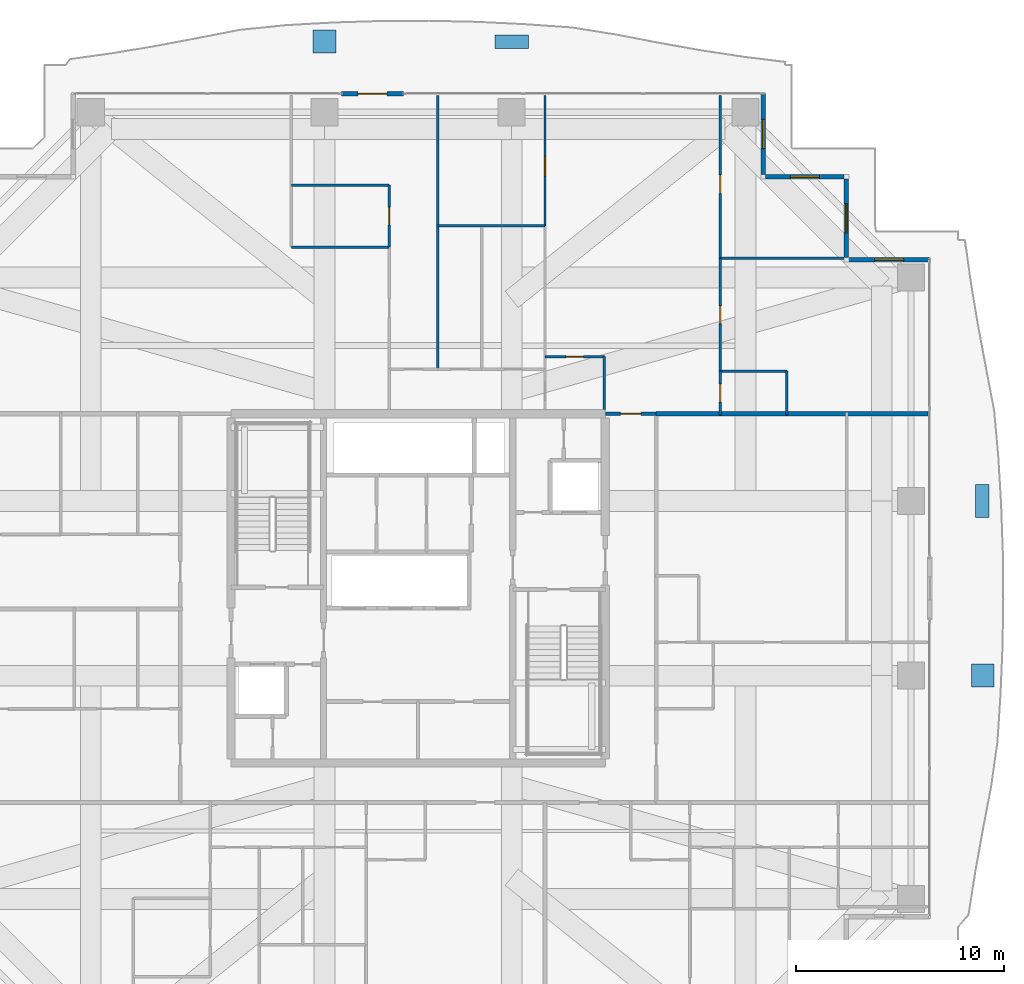
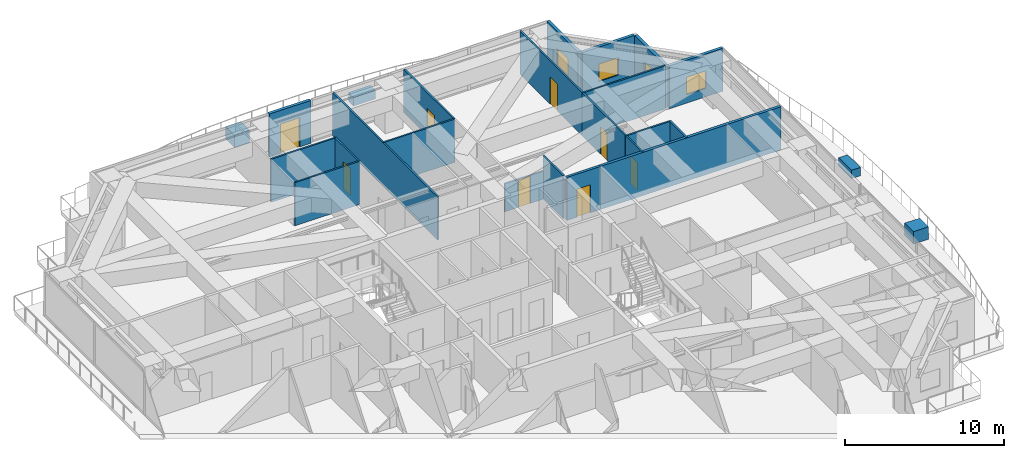
# One storey, part 27 of 32: 21 walls, 8 doors, 4 discrete accessories, 4 windows, 12 openings.
"""IFC4 building model written with IfcOpenShell, lengths in metres."""

from ifc_helpers import new_model, si_unit, direction, frame, frame_2d, origin, origin_2d, place, context, subcontext, project, spatial, rectangle, extrude, source, transform, mapped, material, layer, layer_set, type_object, element, fill, save


model = new_model("IFC4")

# Units and contexts
model_context = context("Model", 3, precision=1e-05, world=origin(), true_north=direction((0.0, 1.0)))
body_context = subcontext(model_context, "Body", "Model", "MODEL_VIEW")
ifc_project = project(units=[si_unit("LENGTHUNIT", "METRE"), si_unit("AREAUNIT", "SQUARE_METRE"), si_unit("VOLUMEUNIT", "CUBIC_METRE"), si_unit("PLANEANGLEUNIT", "RADIAN"), si_unit("MASSUNIT", "GRAM", prefix="KILO")], contexts=[model_context])

# Site, building, storey
site_placement = place(None, origin())
site = spatial("IfcSite", under=ifc_project, at=site_placement, CompositionType="ELEMENT")
building_placement = place(site_placement, origin())
building = spatial("IfcBuilding", under=site, at=building_placement, Name="Serunith Strait Residences", CompositionType="ELEMENT")
storey_placement = place(building_placement, frame((0.0, 0.0, 195.14990234375)))
storey = spatial("IfcBuildingStorey", under=building, at=storey_placement, Name="L49", CompositionType="ELEMENT", Elevation=195.14990234375)

# Wall, opening, window
ifc_material_1 = material(Name="Pale-Champagne Aluminium Insulated Panel", Category="aluminium")
ifc_layer_1 = layer(ifc_material_1, 0.219970703125, Name="Pale-Champagne Aluminium Insulated Panel")
ifc_layer_set_1 = layer_set([ifc_layer_1], Name="Pale-Champagne Aluminium Insulated Panel")
wall_type_1 = type_object("IfcWallType", Name="EW-ALUM-220", PredefinedType="ELEMENTEDWALL", material=ifc_layer_set_1)
wall_1_placement = place(storey_placement, frame((57.0, 41.0, 0.0), z_axis=(0.0, 0.0, 1.0), x_axis=(-1.0, 0.0, 0.0)))
wall_1 = element("IfcWall", 1, at=wall_1_placement, inside=storey, type_object=wall_type_1, Name="L49 Girih Serrated Corner Wall 07", PredefinedType="ELEMENTEDWALL", context=body_context, shape_type="SweptSolid", body=[
    extrude(rectangle(XDim=3.889892578125, YDim=0.219970703125, at=frame_2d((1.94482421875, 0.0))), origin(), (0.0, 0.0, 1.0), 3.295166015625),
])
opening_1_placement = place(wall_1_placement, frame((1.2451171875, 0.0, 0.64990234375)))
opening_1 = element("IfcOpeningElement", 2, at=opening_1_placement, cuts=wall_1, Name="Opening W-09", PredefinedType="OPENING", context=body_context, shape_type="SweptSolid", body=[
    extrude(rectangle(XDim=1.39990234375, YDim=1.35009765625, at=frame_2d((0.699951171875, 0.675048828125))), frame((0.0, 0.1201171875, 0.0), z_axis=(0.0, -1.0, 0.0), x_axis=(1.0, 0.0, 0.0)), (0.0, 0.0, 1.0), 0.239990234375),
])
ifc_material_2 = material(Name="Setback Spandrel Ceramic-Fritted Operable Window Glass", Category="glass")
window_type = type_object("IfcWindowType", Name="WIN-C7", PartitioningType="DOUBLE_PANEL_VERTICAL", PredefinedType="WINDOW", material=ifc_material_2)
shared_shape_1 = source(origin(), body_context, "Body", "SweptSolid", [
    extrude(rectangle(XDim=1.39990234375, YDim=1.35009765625, at=frame_2d((0.699951171875, 0.675048828125))), frame((0.0, 0.030029296875, 0.0), z_axis=(0.0, -1.0, 0.0), x_axis=(1.0, 0.0, 0.0)), (0.0, 0.0, 1.0), 0.06005859375),
])
window_1_placement = place(opening_1_placement, origin())
window_1 = element("IfcWindow", 3, at=window_1_placement, inside=storey, type_object=window_type, Name="L49 Corner Operable Fritted Window 07", OverallHeight=1.35009765625, OverallWidth=1.39990234375, PartitioningType="SINGLE_PANEL", PredefinedType="WINDOW", context=body_context, shape_type="MappedRepresentation", body=[
    mapped(shared_shape_1, transform((0.0, 0.0, 0.0), scale=1.0)),
])
fill(opening_1, window_1)

wall_2_placement = place(storey_placement, frame((53.0, 41.110107421875, 0.0), z_axis=(0.0, 0.0, 1.0), x_axis=(0.0, 1.0, 0.0)))
wall_2 = element("IfcWall", 4, at=wall_2_placement, inside=storey, type_object=wall_type_1, Name="L49 Girih Serrated Corner Wall 08", PredefinedType="ELEMENTEDWALL", context=body_context, shape_type="SweptSolid", body=[
    extrude(rectangle(XDim=3.77978515625, YDim=0.219970703125, at=frame_2d((1.889892578125, 0.0))), origin(), (0.0, 0.0, 1.0), 3.295166015625),
])
opening_2_placement = place(wall_2_placement, frame((1.18994140625, 0.0, 0.64990234375)))
opening_2 = element("IfcOpeningElement", 5, at=opening_2_placement, cuts=wall_2, Name="Opening W-09", PredefinedType="OPENING", context=body_context, shape_type="SweptSolid", body=[
    extrude(rectangle(XDim=1.39990234375, YDim=1.35009765625, at=frame_2d((0.699951171875, 0.675048828125))), frame((0.0, 0.1201171875, 0.0), z_axis=(0.0, -1.0, 0.0), x_axis=(1.0, 0.0, 0.0)), (0.0, 0.0, 1.0), 0.239990234375),
])
window_2_placement = place(opening_2_placement, origin())
window_2 = element("IfcWindow", 6, at=window_2_placement, inside=storey, type_object=window_type, Name="L49 Corner Operable Fritted Window 08", OverallHeight=1.35009765625, OverallWidth=1.39990234375, PartitioningType="SINGLE_PANEL", PredefinedType="WINDOW", context=body_context, shape_type="MappedRepresentation", body=[
    mapped(shared_shape_1, transform((0.0, 0.0, 0.0), scale=1.0)),
])
fill(opening_2, window_2)

wall_3_placement = place(storey_placement, frame((52.889892578125, 45.0, 0.0), z_axis=(0.0, 0.0, 1.0), x_axis=(-1.0, 0.0, 0.0)))
wall_3 = element("IfcWall", 7, at=wall_3_placement, inside=storey, type_object=wall_type_1, Name="L49 Girih Serrated Corner Wall 09", PredefinedType="ELEMENTEDWALL", context=body_context, shape_type="SweptSolid", body=[
    extrude(rectangle(XDim=3.77978515625, YDim=0.219970703125, at=frame_2d((1.889892578125, 0.0))), origin(), (0.0, 0.0, 1.0), 3.295166015625),
])
opening_3_placement = place(wall_3_placement, frame((1.18994140625, 0.0, 0.64990234375)))
opening_3 = element("IfcOpeningElement", 8, at=opening_3_placement, cuts=wall_3, Name="Opening W-09", PredefinedType="OPENING", context=body_context, shape_type="SweptSolid", body=[
    extrude(rectangle(XDim=1.39990234375, YDim=1.35009765625, at=frame_2d((0.699951171875, 0.675048828125))), frame((0.0, 0.1201171875, 0.0), z_axis=(0.0, -1.0, 0.0), x_axis=(1.0, 0.0, 0.0)), (0.0, 0.0, 1.0), 0.239990234375),
])
window_3_placement = place(opening_3_placement, origin())
window_3 = element("IfcWindow", 9, at=window_3_placement, inside=storey, type_object=window_type, Name="L49 Corner Operable Fritted Window 09", OverallHeight=1.35009765625, OverallWidth=1.39990234375, PartitioningType="SINGLE_PANEL", PredefinedType="WINDOW", context=body_context, shape_type="MappedRepresentation", body=[
    mapped(shared_shape_1, transform((0.0, 0.0, 0.0), scale=1.0)),
])
fill(opening_3, window_3)

wall_4_placement = place(storey_placement, frame((49.0, 45.110107421875, 0.0), z_axis=(0.0, 0.0, 1.0), x_axis=(0.0, 1.0, 0.0)))
wall_4 = element("IfcWall", 10, at=wall_4_placement, inside=storey, type_object=wall_type_1, Name="L49 Girih Serrated Corner Wall 10", PredefinedType="ELEMENTEDWALL", context=body_context, shape_type="SweptSolid", body=[
    extrude(rectangle(XDim=3.889892578125, YDim=0.219970703125, at=frame_2d((1.94482421875, 0.0))), origin(), (0.0, 0.0, 1.0), 3.295166015625),
])
opening_4_placement = place(wall_4_placement, frame((1.2451171875, 0.0, 0.64990234375)))
opening_4 = element("IfcOpeningElement", 11, at=opening_4_placement, cuts=wall_4, Name="Opening W-09", PredefinedType="OPENING", context=body_context, shape_type="SweptSolid", body=[
    extrude(rectangle(XDim=1.39990234375, YDim=1.35009765625, at=frame_2d((0.699951171875, 0.675048828125))), frame((0.0, 0.1201171875, 0.0), z_axis=(0.0, -1.0, 0.0), x_axis=(1.0, 0.0, 0.0)), (0.0, 0.0, 1.0), 0.239990234375),
])
window_4_placement = place(opening_4_placement, origin())
window_4 = element("IfcWindow", 12, at=window_4_placement, inside=storey, type_object=window_type, Name="L49 Corner Operable Fritted Window 10", OverallHeight=1.35009765625, OverallWidth=1.39990234375, PartitioningType="SINGLE_PANEL", PredefinedType="WINDOW", context=body_context, shape_type="MappedRepresentation", body=[
    mapped(shared_shape_1, transform((0.0, 0.0, 0.0), scale=1.0)),
])
fill(opening_4, window_4)

# Wall, opening, door
wall_5_placement = place(storey_placement, frame((31.699951171875, 49.0, 0.0), z_axis=(0.0, 0.0, 1.0), x_axis=(-1.0, 0.0, 0.0)))
wall_5 = element("IfcWall", 13, at=wall_5_placement, inside=storey, type_object=wall_type_1, Name="L49 N Facade Pier Wall", PredefinedType="ELEMENTEDWALL", context=body_context, shape_type="SweptSolid", body=[
    extrude(rectangle(XDim=3.0, YDim=0.219970703125, at=frame_2d((1.5, 0.0))), origin(), (0.0, 0.0, 1.0), 3.295166015625),
])
opening_5_placement = place(wall_5_placement, frame((0.800048828125, 0.0, 0.0)))
opening_5 = element("IfcOpeningElement", 14, at=opening_5_placement, cuts=wall_5, Name="Opening ED-04", PredefinedType="OPENING", context=body_context, shape_type="SweptSolid", body=[
    extrude(rectangle(XDim=1.39990234375, YDim=2.25, at=frame_2d((0.699951171875, 1.125))), frame((0.0, 0.1201171875, 0.0), z_axis=(0.0, -1.0, 0.0), x_axis=(1.0, 0.0, 0.0)), (0.0, 0.0, 1.0), 0.239990234375),
])
ifc_material_3 = material(Name="Thermally-Broken Aluminium Sliding Balcony Door", Category="aluminium")
door_type_1 = type_object("IfcDoorType", Name="ED-BALC-1400", OperationType="NOTDEFINED", PredefinedType="DOOR", material=ifc_material_3)
shared_shape_2 = source(origin(), body_context, "Body", "SweptSolid", [
    extrude(rectangle(XDim=1.39990234375, YDim=2.25, at=frame_2d((0.699951171875, 1.125))), frame((0.0, 0.02490234375, 0.0), z_axis=(0.0, -1.0, 0.0), x_axis=(1.0, 0.0, 0.0)), (0.0, 0.0, 1.0), 0.050048828125),
])
door_1_placement = place(opening_5_placement, origin())
door_1 = element("IfcDoor", 15, at=door_1_placement, inside=storey, type_object=door_type_1, Name="L49 N Vertical-Forest Balcony Door", OperationType="SLIDING_TO_LEFT", OverallHeight=2.25, OverallWidth=1.39990234375, PredefinedType="DOOR", context=body_context, shape_type="MappedRepresentation", body=[
    mapped(shared_shape_2, transform((0.0, 0.0, 0.0), scale=1.0)),
])
fill(opening_5, door_1)

ifc_material_4 = material(Name="Fire-rated acoustic gypsum partition")
ifc_layer_2 = layer(ifc_material_4, 0.179931640625, Name="Fire-rated acoustic gypsum partition")
ifc_layer_set_2 = layer_set([ifc_layer_2], Name="Fire-rated acoustic gypsum partition")
wall_type_2 = type_object("IfcWallType", Name="IW-CORR-180", PredefinedType="PARTITIONING", material=ifc_layer_set_2)
wall_6_placement = place(storey_placement, frame((41.402099609375, 33.60009765625, 0.0), z_axis=(0.0, 0.0, 1.0), x_axis=(1.0, 0.0, 0.0)))
wall_6 = element("IfcWall", 16, at=wall_6_placement, inside=storey, type_object=wall_type_2, Name="L49 Partition Wall 030", PredefinedType="PARTITIONING", context=body_context, shape_type="SweptSolid", body=[
    extrude(rectangle(XDim=2.44580078125, YDim=0.179931640625, at=frame_2d((1.222900390625, 0.0))), origin(), (0.0, 0.0, 1.0), 3.31005859375),
])
opening_6_placement = place(wall_6_placement, frame((0.722900390625, 0.0, 0.0)))
opening_6 = element("IfcOpeningElement", 17, at=opening_6_placement, cuts=wall_6, Name="Opening D-APT1000", PredefinedType="OPENING", context=body_context, shape_type="SweptSolid", body=[
    extrude(rectangle(XDim=1.0, YDim=2.14990234375, at=frame_2d((0.5, 1.074951171875))), frame((0.0, 0.10009765625, 0.0), z_axis=(0.0, -1.0, 0.0), x_axis=(1.0, 0.0, 0.0)), (0.0, 0.0, 1.0), 0.199951171875),
])
ifc_material_5 = material(Name="Solid timber engineered fire door", Category="wood")
door_type_2 = type_object("IfcDoorType", Name="ID-APT-1000", OperationType="NOTDEFINED", PredefinedType="DOOR", material=ifc_material_5)
shared_shape_3 = source(origin(), body_context, "Body", "SweptSolid", [
    extrude(rectangle(XDim=1.0, YDim=2.14990234375, at=frame_2d((0.5, 1.074951171875))), frame((0.0, 0.02490234375, 0.0), z_axis=(0.0, -1.0, 0.0), x_axis=(1.0, 0.0, 0.0)), (0.0, 0.0, 1.0), 0.050048828125),
])
door_2_placement = place(opening_6_placement, origin())
door_2 = element("IfcDoor", 18, at=door_2_placement, inside=storey, type_object=door_type_2, Name="L49 Unit 03 Entrance Door", OperationType="SINGLE_SWING_RIGHT", OverallHeight=2.14990234375, OverallWidth=1.0, PredefinedType="DOOR", context=body_context, shape_type="MappedRepresentation", body=[
    mapped(shared_shape_3, transform((0.0, 0.0, 0.0), scale=1.0)),
])
fill(opening_6, door_2)

ifc_material_6 = material(Name="Lightweight steel-stud gypsum partition", Category="steel")
ifc_layer_3 = layer(ifc_material_6, 0.1201171875, Name="Lightweight steel-stud gypsum partition")
ifc_layer_set_3 = layer_set([ifc_layer_3], Name="Lightweight steel-stud gypsum partition")
wall_type_3 = type_object("IfcWallType", Name="IW-PART-120", PredefinedType="PARTITIONING", material=ifc_layer_set_3)
wall_7_placement = place(storey_placement, frame((38.5, 36.35009765625, 0.0), z_axis=(0.0, 0.0, 1.0), x_axis=(1.0, 0.0, 0.0)))
wall_7 = element("IfcWall", 19, at=wall_7_placement, inside=storey, type_object=wall_type_3, Name="L49 Partition Wall 063", PredefinedType="PARTITIONING", context=body_context, shape_type="SweptSolid", body=[
    extrude(rectangle(XDim=2.85009765625, YDim=0.1201171875, at=frame_2d((1.425048828125, 0.0))), origin(), (0.0, 0.0, 1.0), 2.14501953125),
])
opening_7_placement = place(wall_7_placement, frame((1.0, 0.0, 0.0)))
opening_7 = element("IfcOpeningElement", 20, at=opening_7_placement, cuts=wall_7, Name="Opening D-RM850", PredefinedType="OPENING", context=body_context, shape_type="SweptSolid", body=[
    extrude(rectangle(XDim=0.85009765625, YDim=2.10009765625, at=frame_2d((0.425048828125, 1.050048828125))), frame((0.0, 0.070068359375, 0.0), z_axis=(0.0, -1.0, 0.0), x_axis=(1.0, 0.0, 0.0)), (0.0, 0.0, 1.0), 0.14013671875),
])
ifc_material_7 = material(Name="Engineered timber flush study and kitchen door", Category="wood")
door_type_3 = type_object("IfcDoorType", Name="ID-ROOM-850", OperationType="NOTDEFINED", PredefinedType="DOOR", material=ifc_material_7)
shared_shape_4 = source(origin(), body_context, "Body", "SweptSolid", [
    extrude(rectangle(XDim=0.85009765625, YDim=2.10009765625, at=frame_2d((0.425048828125, 1.050048828125))), frame((0.0, 0.02490234375, 0.0), z_axis=(0.0, -1.0, 0.0), x_axis=(1.0, 0.0, 0.0)), (0.0, 0.0, 1.0), 0.050048828125),
])
door_3_placement = place(opening_7_placement, origin())
door_3 = element("IfcDoor", 21, at=door_3_placement, inside=storey, type_object=door_type_3, Name="L49 Kitchen 4903 Door", OperationType="SINGLE_SWING_LEFT", OverallHeight=2.10009765625, OverallWidth=0.85009765625, PredefinedType="DOOR", context=body_context, shape_type="MappedRepresentation", body=[
    mapped(shared_shape_4, transform((0.0, 0.0, 0.0), scale=1.0)),
])
fill(opening_7, door_3)

# Wall
wall_8_placement = place(storey_placement, frame((41.35009765625, 36.35009765625, 0.0), z_axis=(0.0, 0.0, 1.0), x_axis=(0.0, -1.0, 0.0)))
element("IfcWall", 22, at=wall_8_placement, inside=storey, type_object=wall_type_3, Name="L49 Partition Wall 064", PredefinedType="PARTITIONING", context=body_context, shape_type="SweptSolid", body=[
    extrude(rectangle(XDim=2.550048828125, YDim=0.1201171875, at=frame_2d((1.27490234375, 0.0))), origin(), (0.0, 0.0, 1.0), 3.31005859375),
])

# Wall, opening, door
wall_9_placement = place(storey_placement, frame((38.5, 48.905029296875, 0.0), z_axis=(0.0, 0.0, 1.0), x_axis=(0.0, -1.0, 0.0)))
wall_9 = element("IfcWall", 23, at=wall_9_placement, inside=storey, type_object=wall_type_3, Name="L49 Partition Wall 066", PredefinedType="PARTITIONING", context=body_context, shape_type="SweptSolid", body=[
    extrude(rectangle(XDim=6.27392578125, YDim=0.1201171875, at=frame_2d((3.136962890625, 0.0))), origin(), (0.0, 0.0, 1.0), 3.31005859375),
])
opening_8_placement = place(wall_9_placement, frame((2.9560546875, 0.0, 0.0)))
opening_8 = element("IfcOpeningElement", 24, at=opening_8_placement, cuts=wall_9, Name="Opening D-RM900", PredefinedType="OPENING", context=body_context, shape_type="SweptSolid", body=[
    extrude(rectangle(XDim=0.89990234375, YDim=2.10009765625, at=frame_2d((0.449951171875, 1.050048828125))), frame((0.0, 0.070068359375, 0.0), z_axis=(0.0, -1.0, 0.0), x_axis=(1.0, 0.0, 0.0)), (0.0, 0.0, 1.0), 0.14013671875),
])
ifc_material_8 = material(Name="Engineered timber flush bedroom door", Category="wood")
door_type_4 = type_object("IfcDoorType", Name="ID-ROOM-900", OperationType="NOTDEFINED", PredefinedType="DOOR", material=ifc_material_8)
shared_shape_5 = source(origin(), body_context, "Body", "SweptSolid", [
    extrude(rectangle(XDim=0.89990234375, YDim=2.10009765625, at=frame_2d((0.449951171875, 1.050048828125))), frame((0.0, 0.02490234375, 0.0), z_axis=(0.0, -1.0, 0.0), x_axis=(1.0, 0.0, 0.0)), (0.0, 0.0, 1.0), 0.050048828125),
])
door_4_placement = place(opening_8_placement, origin())
door_4 = element("IfcDoor", 25, at=door_4_placement, inside=storey, type_object=door_type_4, Name="L49 Formal Dining Room 1 4903 Door", OperationType="SINGLE_SWING_LEFT", OverallHeight=2.10009765625, OverallWidth=0.89990234375, PredefinedType="DOOR", context=body_context, shape_type="MappedRepresentation", body=[
    mapped(shared_shape_5, transform((0.0, 0.0, 0.0), scale=1.0)),
])
fill(opening_8, door_4)

# Walls
wall_10_placement = place(storey_placement, frame((33.35009765625, 42.631103515625, 0.0), z_axis=(0.0, 0.0, 1.0), x_axis=(1.0, 0.0, 0.0)))
element("IfcWall", 26, at=wall_10_placement, inside=storey, type_object=wall_type_3, Name="L49 Partition Wall 068", PredefinedType="PARTITIONING", context=body_context, shape_type="SweptSolid", body=[
    extrude(rectangle(XDim=5.14990234375, YDim=0.1201171875, at=frame_2d((2.574951171875, 0.0))), origin(), (0.0, 0.0, 1.0), 3.31005859375),
])
wall_11_placement = place(storey_placement, frame((33.35009765625, 48.905029296875, 0.0), z_axis=(0.0, 0.0, 1.0), x_axis=(0.0, -1.0, 0.0)))
element("IfcWall", 27, at=wall_11_placement, inside=storey, type_object=wall_type_3, Name="L49 Partition Wall 069", PredefinedType="PARTITIONING", context=body_context, shape_type="SweptSolid", body=[
    extrude(rectangle(XDim=13.155029296875, YDim=0.1201171875, at=frame_2d((6.57763671875, 0.0))), origin(), (0.0, 0.0, 1.0), 3.31005859375),
])
for number, where, z_axis, x_axis, name in (
    (28, (26.300048828125, 44.592041015625, 0.0), (0.0, 0.0, 1.0), (1.0, 0.0, 0.0), "L49 Partition Wall 074"),
    (29, (26.300048828125, 41.613037109375, 0.0), (0.0, 0.0, 1.0), (1.0, 0.0, 0.0), "L49 Partition Wall 076"),
):
    element("IfcWall", number, at=place(storey_placement, frame(where, z_axis=z_axis, x_axis=x_axis)), inside=storey, type_object=wall_type_3, Name=name, PredefinedType="PARTITIONING", context=body_context, shape_type="SweptSolid", body=[
        extrude(rectangle(XDim=4.699951171875, YDim=0.1201171875, at=frame_2d((2.35009765625, 0.0))), origin(), (0.0, 0.0, 1.0), 3.31005859375),
    ])

# Wall, opening, door
wall_12_placement = place(storey_placement, frame((31.0, 44.592041015625, 0.0), z_axis=(0.0, 0.0, 1.0), x_axis=(0.0, -1.0, 0.0)))
wall_12 = element("IfcWall", 30, at=wall_12_placement, inside=storey, type_object=wall_type_3, Name="L49 Partition Wall 077", PredefinedType="PARTITIONING", context=body_context, shape_type="SweptSolid", body=[
    extrude(rectangle(XDim=2.97900390625, YDim=0.1201171875, at=frame_2d((1.489501953125, 0.0))), origin(), (0.0, 0.0, 1.0), 3.31005859375),
])
opening_9_placement = place(wall_12_placement, frame((1.06396484375, 0.0, 0.0)))
opening_9 = element("IfcOpeningElement", 31, at=opening_9_placement, cuts=wall_12, Name="Opening D-BTH850", PredefinedType="OPENING", context=body_context, shape_type="SweptSolid", body=[
    extrude(rectangle(XDim=0.85009765625, YDim=2.10009765625, at=frame_2d((0.425048828125, 1.050048828125))), frame((0.0, 0.070068359375, 0.0), z_axis=(0.0, -1.0, 0.0), x_axis=(1.0, 0.0, 0.0)), (0.0, 0.0, 1.0), 0.14013671875),
])
ifc_material_9 = material(Name="Moisture-resistant timber bathroom door", Category="wood")
door_type_5 = type_object("IfcDoorType", Name="ID-BATH-850", OperationType="NOTDEFINED", PredefinedType="DOOR", material=ifc_material_9)
door_5_placement = place(opening_9_placement, origin())
door_5 = element("IfcDoor", 32, at=door_5_placement, inside=storey, type_object=door_type_5, Name="L49 En-suite Bathroom W 4903 Door", OperationType="SINGLE_SWING_LEFT", OverallHeight=2.10009765625, OverallWidth=0.85009765625, PredefinedType="DOOR", context=body_context, shape_type="MappedRepresentation", body=[
    mapped(shared_shape_4, transform((0.0, 0.0, 0.0), scale=1.0)),
])
fill(opening_9, door_5)

wall_13_placement = place(storey_placement, frame((46.929931640625, 48.905029296875, 0.0), z_axis=(0.0, 0.0, 1.0), x_axis=(0.0, -1.0, 0.0)))
wall_13 = element("IfcWall", 33, at=wall_13_placement, inside=storey, type_object=wall_type_3, Name="L49 Partition Wall 080", PredefinedType="PARTITIONING", context=body_context, shape_type="SweptSolid", body=[
    extrude(rectangle(XDim=7.830078125, YDim=0.1201171875, at=frame_2d((3.9150390625, 0.0))), origin(), (0.0, 0.0, 1.0), 3.31005859375),
])
opening_10_placement = place(wall_13_placement, frame((3.81103515625, 0.0, 0.0)))
opening_10 = element("IfcOpeningElement", 34, at=opening_10_placement, cuts=wall_13, Name="Opening D-RM900", PredefinedType="OPENING", context=body_context, shape_type="SweptSolid", body=[
    extrude(rectangle(XDim=0.89990234375, YDim=2.10009765625, at=frame_2d((0.449951171875, 1.050048828125))), frame((0.0, 0.070068359375, 0.0), z_axis=(0.0, -1.0, 0.0), x_axis=(1.0, 0.0, 0.0)), (0.0, 0.0, 1.0), 0.14013671875),
])
door_6_placement = place(opening_10_placement, origin())
door_6 = element("IfcDoor", 35, at=door_6_placement, inside=storey, type_object=door_type_4, Name="L49 Bedroom 3 4903 Door", OperationType="SINGLE_SWING_LEFT", OverallHeight=2.10009765625, OverallWidth=0.89990234375, PredefinedType="DOOR", context=body_context, shape_type="MappedRepresentation", body=[
    mapped(shared_shape_5, transform((0.0, 0.0, 0.0), scale=1.0)),
])
fill(opening_10, door_6)

# Walls
wall_14_placement = place(storey_placement, frame((46.929931640625, 41.074951171875, 0.0), z_axis=(0.0, 0.0, 1.0), x_axis=(1.0, 0.0, 0.0)))
element("IfcWall", 36, at=wall_14_placement, inside=storey, type_object=wall_type_3, Name="L49 Partition Wall 081", PredefinedType="PARTITIONING", context=body_context, shape_type="SweptSolid", body=[
    extrude(rectangle(XDim=5.97509765625, YDim=0.1201171875, at=frame_2d((2.987548828125, 0.0))), origin(), (0.0, 0.0, 1.0), 3.31005859375),
])
wall_15_placement = place(storey_placement, frame((46.929931640625, 35.64990234375, 0.0), z_axis=(0.0, 0.0, 1.0), x_axis=(1.0, 0.0, 0.0)))
element("IfcWall", 37, at=wall_15_placement, inside=storey, type_object=wall_type_3, Name="L49 Partition Wall 082", PredefinedType="PARTITIONING", context=body_context, shape_type="SweptSolid", body=[
    extrude(rectangle(XDim=3.199951171875, YDim=0.1201171875, at=frame_2d((1.60009765625, 0.0))), origin(), (0.0, 0.0, 1.0), 3.31005859375),
])
wall_16_placement = place(storey_placement, frame((50.1298828125, 35.64990234375, 0.0), z_axis=(0.0, 0.0, 1.0), x_axis=(0.0, -1.0, 0.0)))
element("IfcWall", 38, at=wall_16_placement, inside=storey, type_object=wall_type_3, Name="L49 Partition Wall 083", PredefinedType="PARTITIONING", context=body_context, shape_type="SweptSolid", body=[
    extrude(rectangle(XDim=2.10986328125, YDim=0.1201171875, at=frame_2d((1.054931640625, 0.0))), origin(), (0.0, 0.0, 1.0), 3.31005859375),
])

# Wall, opening, door
wall_17_placement = place(storey_placement, frame((46.929931640625, 41.072998046875, 0.0), z_axis=(0.0, 0.0, 1.0), x_axis=(0.0, -1.0, 0.0)))
wall_17 = element("IfcWall", 39, at=wall_17_placement, inside=storey, type_object=wall_type_3, Name="L49 Partition Wall 084", PredefinedType="PARTITIONING", context=body_context, shape_type="SweptSolid", body=[
    extrude(rectangle(XDim=5.423095703125, YDim=0.1201171875, at=frame_2d((2.71142578125, 0.0))), origin(), (0.0, 0.0, 1.0), 3.31005859375),
])
opening_11_placement = place(wall_17_placement, frame((2.287109375, 0.0, 0.0)))
opening_11 = element("IfcOpeningElement", 40, at=opening_11_placement, cuts=wall_17, Name="Opening D-RM850", PredefinedType="OPENING", context=body_context, shape_type="SweptSolid", body=[
    extrude(rectangle(XDim=0.85009765625, YDim=2.10009765625, at=frame_2d((0.425048828125, 1.050048828125))), frame((0.0, 0.070068359375, 0.0), z_axis=(0.0, -1.0, 0.0), x_axis=(1.0, 0.0, 0.0)), (0.0, 0.0, 1.0), 0.14013671875),
])
door_7_placement = place(opening_11_placement, origin())
door_7 = element("IfcDoor", 41, at=door_7_placement, inside=storey, type_object=door_type_3, Name="L49 Walk-in Wardrobe 4903 Door", OperationType="SINGLE_SWING_RIGHT", OverallHeight=2.10009765625, OverallWidth=0.85009765625, PredefinedType="DOOR", context=body_context, shape_type="MappedRepresentation", body=[
    mapped(shared_shape_4, transform((0.0, 0.0, 0.0), scale=1.0)),
])
fill(opening_11, door_7)

wall_18_placement = place(storey_placement, frame((46.929931640625, 35.64794921875, 0.0), z_axis=(0.0, 0.0, 1.0), x_axis=(0.0, -1.0, 0.0)))
wall_18 = element("IfcWall", 42, at=wall_18_placement, inside=storey, type_object=wall_type_3, Name="L49 Partition Wall 085", PredefinedType="PARTITIONING", context=body_context, shape_type="SweptSolid", body=[
    extrude(rectangle(XDim=2.10791015625, YDim=0.1201171875, at=frame_2d((1.053955078125, 0.0))), origin(), (0.0, 0.0, 1.0), 3.31005859375),
])
opening_12_placement = place(wall_18_placement, frame((0.62890625, 0.0, 0.0)))
opening_12 = element("IfcOpeningElement", 43, at=opening_12_placement, cuts=wall_18, Name="Opening D-BTH850", PredefinedType="OPENING", context=body_context, shape_type="SweptSolid", body=[
    extrude(rectangle(XDim=0.85009765625, YDim=2.10009765625, at=frame_2d((0.425048828125, 1.050048828125))), frame((0.0, 0.070068359375, 0.0), z_axis=(0.0, -1.0, 0.0), x_axis=(1.0, 0.0, 0.0)), (0.0, 0.0, 1.0), 0.14013671875),
])
door_8_placement = place(opening_12_placement, origin())
door_8 = element("IfcDoor", 44, at=door_8_placement, inside=storey, type_object=door_type_5, Name="L49 Bathroom 4903 Door", OperationType="SINGLE_SWING_LEFT", OverallHeight=2.10009765625, OverallWidth=0.85009765625, PredefinedType="DOOR", context=body_context, shape_type="MappedRepresentation", body=[
    mapped(shared_shape_4, transform((0.0, 0.0, 0.0), scale=1.0)),
])
fill(opening_12, door_8)

# Wall
ifc_material_10 = material(Name="Twin-stud acoustic gypsum board partition")
ifc_layer_4 = layer(ifc_material_10, 0.199951171875, Name="Twin-stud acoustic gypsum board partition")
ifc_layer_set_4 = layer_set([ifc_layer_4], Name="Twin-stud acoustic gypsum board partition")
wall_type_4 = type_object("IfcWallType", Name="IW-PARTY-200", PredefinedType="PARTITIONING", material=ifc_layer_set_4)
wall_19_placement = place(storey_placement, frame((43.85009765625, 33.60009765625, 0.0), z_axis=(0.0, 0.0, 1.0), x_axis=(1.0, 0.0, 0.0)))
element("IfcWall", 45, at=wall_19_placement, inside=storey, type_object=wall_type_4, Name="L49 Partition Wall 025", PredefinedType="PARTITIONING", context=body_context, shape_type="SweptSolid", body=[
    extrude(rectangle(XDim=13.06787109375, YDim=0.199951171875, at=frame_2d((6.533935546875, 0.0))), origin(), (0.0, 0.0, 1.0), 3.31005859375),
])

# Discrete accessories
ifc_material_11 = material(Name="GFRC Root-Anchored Structural Planter")
discrete_accessory_type_1 = type_object("IfcDiscreteAccessoryType", Name="ACC-PLANTER-TREE", PredefinedType="USERDEFINED", material=ifc_material_11)
shared_shape_6 = source(origin(), body_context, "Body", "SweptSolid", [
    extrude(rectangle(XDim=1.10009765625, YDim=1.10009765625, at=origin_2d()), origin(), (0.0, 0.0, 1.0), 0.949951171875),
])
for number, where, z_axis, x_axis, name in (
    (46, (27.89990234375, 51.507080078125, -0.0498046875), (0.0, 0.0, 1.0), (-1.0, 0.0, 0.0), "L49 Vertical-Forest Tree Planter 06"),
    (47, (59.55859375, 21.0, -0.0498046875), (0.0, 0.0, 1.0), (0.0, 1.0, 0.0), "L49 Vertical-Forest Tree Planter 10"),
):
    element("IfcDiscreteAccessory", number, at=place(storey_placement, frame(where, z_axis=z_axis, x_axis=x_axis)), inside=storey, type_object=discrete_accessory_type_1, Name=name, ObjectType="PLANTER", PredefinedType="USERDEFINED", context=body_context, shape_type="MappedRepresentation", body=[
        mapped(shared_shape_6, transform((0.0, 0.0, 0.0), scale=1.0)),
    ])
ifc_material_12 = material(Name="GFRC Irrigated Shrub Trough Planter")
discrete_accessory_type_2 = type_object("IfcDiscreteAccessoryType", Name="ACC-PLANTER-SHRUB", PredefinedType="USERDEFINED", material=ifc_material_12)
shared_shape_7 = source(origin(), body_context, "Body", "SweptSolid", [
    extrude(rectangle(XDim=1.60009765625, YDim=0.64990234375, at=origin_2d()), origin(), (0.0, 0.0, 1.0), 0.64990234375),
])
for number, where, z_axis, x_axis, name in (
    (48, (36.89990234375, 51.48095703125, -0.0498046875), (0.0, 0.0, 1.0), (-1.0, 0.0, 0.0), "L49 Vertical-Forest Shrub Planter 07"),
    (49, (59.54150390625, 29.39990234375, -0.0498046875), (0.0, 0.0, 1.0), (0.0, 1.0, 0.0), "L49 Vertical-Forest Shrub Planter 11"),
):
    element("IfcDiscreteAccessory", number, at=place(storey_placement, frame(where, z_axis=z_axis, x_axis=x_axis)), inside=storey, type_object=discrete_accessory_type_2, Name=name, ObjectType="PLANTER", PredefinedType="USERDEFINED", context=body_context, shape_type="MappedRepresentation", body=[
        mapped(shared_shape_7, transform((0.0, 0.0, 0.0), scale=1.0)),
    ])

save(model, "model.ifc")
